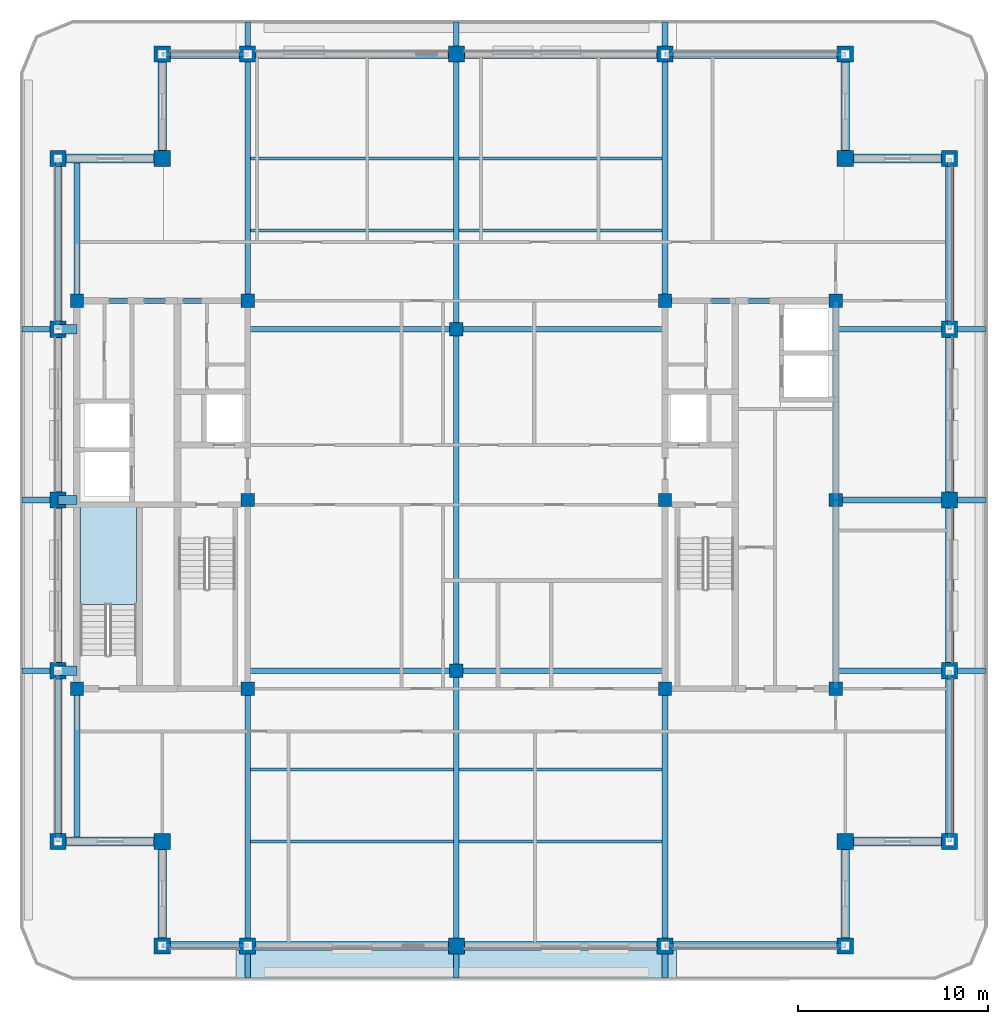
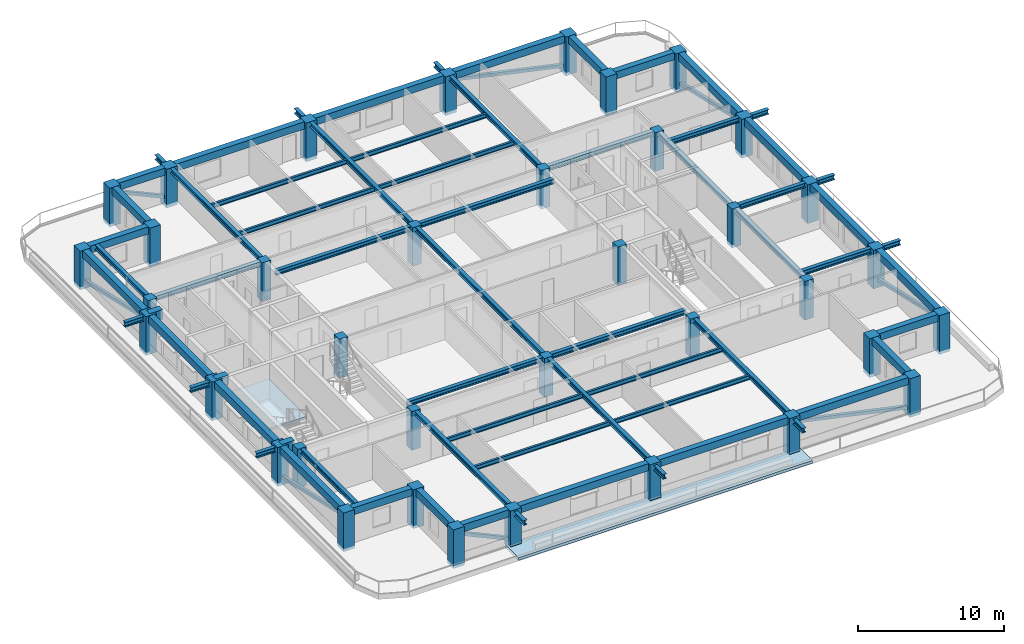
# One storey, part 1 of 11: 67 beams, 37 columns, 8 members, 2 slabs, 1 element without a shape of its own.
"""IFC4 building model written with IfcOpenShell, lengths in metres."""

from ifc_helpers import new_model, si_unit, direction, frame, origin, origin_2d, place, context, subcontext, project, spatial, polyline, rectangle, hollow_rectangle, i_section, outline, extrude, material, layer, layer_set, material_profile, profile_set, type_object, element, aggregate, save


model = new_model("IFC4")

# Units and contexts
model_context = context("Model", 3, precision=1e-05, world=origin(), true_north=direction((0.0, 1.0)))
body_context = subcontext(model_context, "Body", "Model", "MODEL_VIEW")
ifc_project = project(units=[si_unit("LENGTHUNIT", "METRE"), si_unit("AREAUNIT", "SQUARE_METRE"), si_unit("VOLUMEUNIT", "CUBIC_METRE"), si_unit("PLANEANGLEUNIT", "RADIAN"), si_unit("MASSUNIT", "GRAM", prefix="KILO")], contexts=[model_context])

# Site, building, storey
site_placement = place(None, origin())
site = spatial("IfcSite", under=ifc_project, at=site_placement, CompositionType="ELEMENT")
building_placement = place(site_placement, origin())
building = spatial("IfcBuilding", under=site, at=building_placement, Name="Zulmaris Gate Convention Tower", CompositionType="ELEMENT")
storey_placement = place(building_placement, frame((0.0, 0.0, 233.280029296875)))
storey = spatial("IfcBuildingStorey", under=building, at=storey_placement, Name="L61", CompositionType="ELEMENT", Elevation=233.280029296875)

# Columns
ifc_material_1 = material(Name="Concrete C50/60", Category="concrete")
ifc_material_profile_1 = material_profile(ifc_material_1, rectangle(XDim=0.699951171875, YDim=0.699951171875, at=origin_2d()), Name="RC COL 700x700")
ifc_profile_set_1 = profile_set([ifc_material_profile_1], Name="Concrete C50/60")
column_type_1 = type_object("IfcColumnType", Name="COL-RC700", PredefinedType="COLUMN", material=ifc_profile_set_1)
for number, where, z_axis, x_axis, name in (
    (1, (-20.0, -9.949951171875, -0.25), (0.0, 0.0, 1.0), (1.0, 0.0, 0.0), "L61 Column IN--20.00_-9.95"),
    (2, (-20.0, 10.5, -0.25), (0.0, 0.0, 1.0), (1.0, 0.0, 0.0), "L61 Column IN--20.00_+10.50"),
    (3, (-11.0, -9.949951171875, -0.25), (0.0, 0.0, 1.0), (1.0, 0.0, 0.0), "L61 Column IN--11.00_-9.95"),
    (4, (-11.0, 0.0, -0.25), (0.0, 0.0, 1.0), (1.0, 0.0, 0.0), "L61 Column IN--11.00_+0.00"),
    (5, (-11.0, 10.5, -0.25), (0.0, 0.0, 1.0), (1.0, 0.0, 0.0), "L61 Column IN--11.00_+10.50"),
    (6, (11.0, -9.949951171875, -0.25), (0.0, 0.0, 1.0), (1.0, 0.0, 0.0), "L61 Column IN-+11.00_-9.95"),
    (7, (11.0, 0.0, -0.25), (0.0, 0.0, 1.0), (1.0, 0.0, 0.0), "L61 Column IN-+11.00_+0.00"),
    (8, (11.0, 10.5, -0.25), (0.0, 0.0, 1.0), (1.0, 0.0, 0.0), "L61 Column IN-+11.00_+10.50"),
    (9, (20.0, -9.949951171875, -0.25), (0.0, 0.0, 1.0), (1.0, 0.0, 0.0), "L61 Column IN-+20.00_-9.95"),
    (10, (20.0, 10.5, -0.25), (0.0, 0.0, 1.0), (1.0, 0.0, 0.0), "L61 Column IN-+20.00_+10.50"),
    (11, (0.0, -9.0, -0.25), (0.0, 0.0, 1.0), (1.0, 0.0, 0.0), "L61 Column IN-+0.00_-9.00"),
    (12, (0.0, 9.0, -0.25), (0.0, 0.0, 1.0), (1.0, 0.0, 0.0), "L61 Column IN-+0.00_+9.00"),
    (13, (20.0, 0.0, -0.25), (0.0, 0.0, 1.0), (1.0, 0.0, 0.0), "L61 Column IN-+20.00_+0.00"),
):
    element("IfcColumn", number, at=place(storey_placement, frame(where, z_axis=z_axis, x_axis=x_axis)), inside=storey, type_object=column_type_1, Name=name, PredefinedType="COLUMN", context=body_context, shape_type="SweptSolid", body=[
        extrude(rectangle(XDim=0.699951171875, YDim=0.699951171875, at=origin_2d()), origin(), (0.0, 0.0, 1.0), 3.22998046875),
    ])
ifc_material_2 = material(Name="Concrete C60/75", Category="concrete")
ifc_material_profile_2 = material_profile(ifc_material_2, rectangle(XDim=0.85009765625, YDim=0.85009765625, at=origin_2d()), Name="RC COL 850x850")
ifc_profile_set_2 = profile_set([ifc_material_profile_2], Name="Concrete C60/75")
column_type_2 = type_object("IfcColumnType", Name="COL-RC850", PredefinedType="COLUMN", material=ifc_profile_set_2)
for number, where, z_axis, x_axis, name in (
    (14, (-15.5, -23.5, -0.25), (0.0, 0.0, 1.0), (1.0, 0.0, 0.0), "L61 Column PT--15.50_-23.50"),
    (15, (-11.0, -23.5, -0.25), (0.0, 0.0, 1.0), (1.0, 0.0, 0.0), "L61 Column PT--11.00_-23.50"),
    (16, (0.0, -23.5, -0.25), (0.0, 0.0, 1.0), (1.0, 0.0, 0.0), "L61 Column PT-+0.00_-23.50"),
    (17, (11.0, -23.5, -0.25), (0.0, 0.0, 1.0), (1.0, 0.0, 0.0), "L61 Column PT-+11.00_-23.50"),
    (18, (20.5, -23.5, -0.25), (0.0, 0.0, 1.0), (1.0, 0.0, 0.0), "L61 Column PT-+20.50_-23.50"),
    (19, (-15.5, 23.5, -0.25), (0.0, 0.0, 1.0), (1.0, 0.0, 0.0), "L61 Column PT--15.50_+23.50"),
    (20, (-11.0, 23.5, -0.25), (0.0, 0.0, 1.0), (1.0, 0.0, 0.0), "L61 Column PT--11.00_+23.50"),
    (21, (0.0, 23.5, -0.25), (0.0, 0.0, 1.0), (1.0, 0.0, 0.0), "L61 Column PT-+0.00_+23.50"),
    (22, (11.0, 23.5, -0.25), (0.0, 0.0, 1.0), (1.0, 0.0, 0.0), "L61 Column PT-+11.00_+23.50"),
    (23, (20.5, 23.5, -0.25), (0.0, 0.0, 1.0), (1.0, 0.0, 0.0), "L61 Column PT-+20.50_+23.50"),
    (24, (-21.0, -18.0, -0.25), (0.0, 0.0, 1.0), (1.0, 0.0, 0.0), "L61 Column PT--21.00_-18.00"),
    (25, (-21.0, -9.0, -0.25), (0.0, 0.0, 1.0), (1.0, 0.0, 0.0), "L61 Column PT--21.00_-9.00"),
    (26, (-21.0, 0.0, -0.25), (0.0, 0.0, 1.0), (1.0, 0.0, 0.0), "L61 Column PT--21.00_+0.00"),
    (27, (-21.0, 9.0, -0.25), (0.0, 0.0, 1.0), (1.0, 0.0, 0.0), "L61 Column PT--21.00_+9.00"),
    (28, (-21.0, 18.0, -0.25), (0.0, 0.0, 1.0), (1.0, 0.0, 0.0), "L61 Column PT--21.00_+18.00"),
    (29, (26.0, -18.0, -0.25), (0.0, 0.0, 1.0), (1.0, 0.0, 0.0), "L61 Column PT-+26.00_-18.00"),
    (30, (26.0, -9.0, -0.25), (0.0, 0.0, 1.0), (1.0, 0.0, 0.0), "L61 Column PT-+26.00_-9.00"),
    (31, (26.0, 0.0, -0.25), (0.0, 0.0, 1.0), (1.0, 0.0, 0.0), "L61 Column PT-+26.00_+0.00"),
    (32, (26.0, 9.0, -0.25), (0.0, 0.0, 1.0), (1.0, 0.0, 0.0), "L61 Column PT-+26.00_+9.00"),
    (33, (26.0, 18.0, -0.25), (0.0, 0.0, 1.0), (1.0, 0.0, 0.0), "L61 Column PT-+26.00_+18.00"),
    (34, (-15.5, -18.0, -0.25), (0.0, 0.0, 1.0), (1.0, 0.0, 0.0), "L61 Column PT--15.50_-18.00"),
    (35, (20.5, -18.0, -0.25), (0.0, 0.0, 1.0), (1.0, 0.0, 0.0), "L61 Column PT-+20.50_-18.00"),
    (36, (20.5, 18.0, -0.25), (0.0, 0.0, 1.0), (1.0, 0.0, 0.0), "L61 Column PT-+20.50_+18.00"),
    (37, (-15.5, 18.0, -0.25), (0.0, 0.0, 1.0), (1.0, 0.0, 0.0), "L61 Column PT--15.50_+18.00"),
):
    element("IfcColumn", number, at=place(storey_placement, frame(where, z_axis=z_axis, x_axis=x_axis)), inside=storey, type_object=column_type_2, Name=name, PredefinedType="COLUMN", context=body_context, shape_type="SweptSolid", body=[
        extrude(rectangle(XDim=0.85009765625, YDim=0.85009765625, at=origin_2d()), origin(), (0.0, 0.0, 1.0), 3.22998046875),
    ])

# Beams
ifc_material_3 = material(Name="Steel S355", Category="steel")
ifc_material_profile_3 = material_profile(ifc_material_3, i_section(OverallWidth=0.300048828125, OverallDepth=0.39990234375, WebThickness=0.013427734375, FlangeThickness=0.02392578125, FilletRadius=0.027099609375, at=origin_2d()), Name="HEB 400")
ifc_profile_set_3 = profile_set([ifc_material_profile_3], Name="Steel S355")
beam_type_1 = type_object("IfcBeamType", Name="BM-HEB400", PredefinedType="BEAM", material=ifc_profile_set_3)
for number, where, z_axis, x_axis, name in (
    (38, (-11.0, -25.199951171875, 2.639892578125), (0.0, 1.0, 0.0), (-1.0, 0.0, 0.0), "L61 Beam TBRK-L61-S--11"),
    (39, (-11.0, 23.5, 2.639892578125), (0.0, 1.0, 0.0), (-1.0, 0.0, 0.0), "L61 Beam TBRK-L61-N--11"),
    (40, (0.0, -25.199951171875, 2.639892578125), (0.0, 1.0, 0.0), (-1.0, 0.0, 0.0), "L61 Beam TBRK-L61-S-+0"),
    (41, (0.0, 23.5, 2.639892578125), (0.0, 1.0, 0.0), (-1.0, 0.0, 0.0), "L61 Beam TBRK-L61-N-+0"),
    (42, (11.0, -25.199951171875, 2.639892578125), (0.0, 1.0, 0.0), (-1.0, 0.0, 0.0), "L61 Beam TBRK-L61-S-+11"),
    (43, (11.0, 23.5, 2.639892578125), (0.0, 1.0, 0.0), (-1.0, 0.0, 0.0), "L61 Beam TBRK-L61-N-+11"),
):
    element("IfcBeam", number, at=place(storey_placement, frame(where, z_axis=z_axis, x_axis=x_axis)), inside=storey, type_object=beam_type_1, Name=name, PredefinedType="BEAM", context=body_context, shape_type="SweptSolid", body=[
        extrude(i_section(OverallWidth=0.300048828125, OverallDepth=0.39990234375, WebThickness=0.013427734375, FlangeThickness=0.02392578125, FilletRadius=0.027099609375, at=origin_2d()), origin(), (0.0, 0.0, 1.0), 1.699951171875),
    ])
for number, where, z_axis, x_axis, name in (
    (44, (-22.89990234375, -9.0, 2.639892578125), (1.0, 0.0, 0.0), (0.0, 1.0, 0.0), "L61 Beam TBRK-L61-W--9"),
    (45, (26.0, -9.0, 2.639892578125), (1.0, 0.0, 0.0), (0.0, 1.0, 0.0), "L61 Beam TBRK-L61-E--9"),
    (46, (-22.89990234375, 0.0, 2.639892578125), (1.0, 0.0, 0.0), (0.0, 1.0, 0.0), "L61 Beam TBRK-L61-W-+0"),
    (47, (26.0, 0.0, 2.639892578125), (1.0, 0.0, 0.0), (0.0, 1.0, 0.0), "L61 Beam TBRK-L61-E-+0"),
    (48, (-22.89990234375, 9.0, 2.639892578125), (1.0, 0.0, 0.0), (0.0, 1.0, 0.0), "L61 Beam TBRK-L61-W-+9"),
    (49, (26.0, 9.0, 2.639892578125), (1.0, 0.0, 0.0), (0.0, 1.0, 0.0), "L61 Beam TBRK-L61-E-+9"),
):
    element("IfcBeam", number, at=place(storey_placement, frame(where, z_axis=z_axis, x_axis=x_axis)), inside=storey, type_object=beam_type_1, Name=name, PredefinedType="BEAM", context=body_context, shape_type="SweptSolid", body=[
        extrude(i_section(OverallWidth=0.300048828125, OverallDepth=0.39990234375, WebThickness=0.013427734375, FlangeThickness=0.02392578125, FilletRadius=0.027099609375, at=origin_2d()), origin(), (0.0, 0.0, 1.0), 1.89990234375),
    ])
for number, where, z_axis, x_axis, name in (
    (50, (-11.0, -9.0, 2.778076171875), (1.0, 0.0, 0.0), (0.0, 1.0, 0.0), "L61 Beam BM-L61-G01"),
    (51, (0.0, -9.0, 2.778076171875), (1.0, 0.0, 0.0), (0.0, 1.0, 0.0), "L61 Beam BM-L61-G02"),
    (52, (-11.0, 9.0, 2.778076171875), (1.0, 0.0, 0.0), (0.0, 1.0, 0.0), "L61 Beam BM-L61-G03"),
    (53, (0.0, 9.0, 2.778076171875), (1.0, 0.0, 0.0), (0.0, 1.0, 0.0), "L61 Beam BM-L61-G04"),
):
    element("IfcBeam", number, at=place(storey_placement, frame(where, z_axis=z_axis, x_axis=x_axis)), inside=storey, type_object=beam_type_1, Name=name, PredefinedType="BEAM", context=body_context, shape_type="SweptSolid", body=[
        extrude(i_section(OverallWidth=0.300048828125, OverallDepth=0.39990234375, WebThickness=0.013427734375, FlangeThickness=0.02392578125, FilletRadius=0.027099609375, at=origin_2d()), origin(), (0.0, 0.0, 1.0), 11.0),
    ])
beam_1_placement = place(storey_placement, frame((0.0, -23.5, 2.778076171875), z_axis=(0.0, 1.0, 0.0), x_axis=(-1.0, 0.0, 0.0)))
element("IfcBeam", 54, at=beam_1_placement, inside=storey, type_object=beam_type_1, Name="L61 Beam BM-L61-G05", PredefinedType="BEAM", context=body_context, shape_type="SweptSolid", body=[
    extrude(i_section(OverallWidth=0.300048828125, OverallDepth=0.39990234375, WebThickness=0.013427734375, FlangeThickness=0.02392578125, FilletRadius=0.027099609375, at=origin_2d()), origin(), (0.0, 0.0, 1.0), 14.5),
])
beam_2_placement = place(storey_placement, frame((0.0, -9.0, 2.778076171875), z_axis=(0.0, 1.0, 0.0), x_axis=(-1.0, 0.0, 0.0)))
element("IfcBeam", 55, at=beam_2_placement, inside=storey, type_object=beam_type_1, Name="L61 Beam BM-L61-G06", PredefinedType="BEAM", context=body_context, shape_type="SweptSolid", body=[
    extrude(i_section(OverallWidth=0.300048828125, OverallDepth=0.39990234375, WebThickness=0.013427734375, FlangeThickness=0.02392578125, FilletRadius=0.027099609375, at=origin_2d()), origin(), (0.0, 0.0, 1.0), 18.0),
])
beam_3_placement = place(storey_placement, frame((0.0, 9.0, 2.778076171875), z_axis=(0.0, 1.0, 0.0), x_axis=(-1.0, 0.0, 0.0)))
element("IfcBeam", 56, at=beam_3_placement, inside=storey, type_object=beam_type_1, Name="L61 Beam BM-L61-G07", PredefinedType="BEAM", context=body_context, shape_type="SweptSolid", body=[
    extrude(i_section(OverallWidth=0.300048828125, OverallDepth=0.39990234375, WebThickness=0.013427734375, FlangeThickness=0.02392578125, FilletRadius=0.027099609375, at=origin_2d()), origin(), (0.0, 0.0, 1.0), 14.5),
])
beam_4_placement = place(storey_placement, frame((-11.0, -23.5, 2.778076171875), z_axis=(0.0, 1.0, 0.0), x_axis=(-1.0, 0.0, 0.0)))
element("IfcBeam", 57, at=beam_4_placement, inside=storey, type_object=beam_type_1, Name="L61 Beam BM-L61-G08", PredefinedType="BEAM", context=body_context, shape_type="SweptSolid", body=[
    extrude(i_section(OverallWidth=0.300048828125, OverallDepth=0.39990234375, WebThickness=0.013427734375, FlangeThickness=0.02392578125, FilletRadius=0.027099609375, at=origin_2d()), origin(), (0.0, 0.0, 1.0), 13.550048828125),
])
beam_5_placement = place(storey_placement, frame((-11.0, 10.5, 2.778076171875), z_axis=(0.0, 1.0, 0.0), x_axis=(-1.0, 0.0, 0.0)))
element("IfcBeam", 58, at=beam_5_placement, inside=storey, type_object=beam_type_1, Name="L61 Beam BM-L61-G09", PredefinedType="BEAM", context=body_context, shape_type="SweptSolid", body=[
    extrude(i_section(OverallWidth=0.300048828125, OverallDepth=0.39990234375, WebThickness=0.013427734375, FlangeThickness=0.02392578125, FilletRadius=0.027099609375, at=origin_2d()), origin(), (0.0, 0.0, 1.0), 13.0),
])
beam_6_placement = place(storey_placement, frame((11.0, -23.5, 2.778076171875), z_axis=(0.0, 1.0, 0.0), x_axis=(-1.0, 0.0, 0.0)))
element("IfcBeam", 59, at=beam_6_placement, inside=storey, type_object=beam_type_1, Name="L61 Beam BM-L61-G10", PredefinedType="BEAM", context=body_context, shape_type="SweptSolid", body=[
    extrude(i_section(OverallWidth=0.300048828125, OverallDepth=0.39990234375, WebThickness=0.013427734375, FlangeThickness=0.02392578125, FilletRadius=0.027099609375, at=origin_2d()), origin(), (0.0, 0.0, 1.0), 13.550048828125),
])
beam_7_placement = place(storey_placement, frame((11.0, 10.5, 2.778076171875), z_axis=(0.0, 1.0, 0.0), x_axis=(-1.0, 0.0, 0.0)))
element("IfcBeam", 60, at=beam_7_placement, inside=storey, type_object=beam_type_1, Name="L61 Beam BM-L61-G11", PredefinedType="BEAM", context=body_context, shape_type="SweptSolid", body=[
    extrude(i_section(OverallWidth=0.300048828125, OverallDepth=0.39990234375, WebThickness=0.013427734375, FlangeThickness=0.02392578125, FilletRadius=0.027099609375, at=origin_2d()), origin(), (0.0, 0.0, 1.0), 13.0),
])
beam_8_placement = place(storey_placement, frame((-20.0, -18.0, 2.778076171875), z_axis=(0.0, 1.0, 0.0), x_axis=(-1.0, 0.0, 0.0)))
element("IfcBeam", 61, at=beam_8_placement, inside=storey, type_object=beam_type_1, Name="L61 Beam BM-L61-G12", PredefinedType="BEAM", context=body_context, shape_type="SweptSolid", body=[
    extrude(i_section(OverallWidth=0.300048828125, OverallDepth=0.39990234375, WebThickness=0.013427734375, FlangeThickness=0.02392578125, FilletRadius=0.027099609375, at=origin_2d()), origin(), (0.0, 0.0, 1.0), 8.050048828125),
])
beam_9_placement = place(storey_placement, frame((-20.0, 10.5, 2.778076171875), z_axis=(0.0, 1.0, 0.0), x_axis=(-1.0, 0.0, 0.0)))
element("IfcBeam", 62, at=beam_9_placement, inside=storey, type_object=beam_type_1, Name="L61 Beam BM-L61-G13", PredefinedType="BEAM", context=body_context, shape_type="SweptSolid", body=[
    extrude(i_section(OverallWidth=0.300048828125, OverallDepth=0.39990234375, WebThickness=0.013427734375, FlangeThickness=0.02392578125, FilletRadius=0.027099609375, at=origin_2d()), origin(), (0.0, 0.0, 1.0), 7.5),
])
for number, where, z_axis, x_axis, name in (
    (63, (20.0, -9.0, 2.778076171875), (1.0, 0.0, 0.0), (0.0, 1.0, 0.0), "L61 Beam BM-L61-G19"),
    (64, (20.0, 0.0, 2.778076171875), (1.0, 0.0, 0.0), (0.0, 1.0, 0.0), "L61 Beam BM-L61-G20"),
    (65, (20.0, 9.0, 2.778076171875), (1.0, 0.0, 0.0), (0.0, 1.0, 0.0), "L61 Beam BM-L61-G21"),
):
    element("IfcBeam", number, at=place(storey_placement, frame(where, z_axis=z_axis, x_axis=x_axis)), inside=storey, type_object=beam_type_1, Name=name, PredefinedType="BEAM", context=body_context, shape_type="SweptSolid", body=[
        extrude(i_section(OverallWidth=0.300048828125, OverallDepth=0.39990234375, WebThickness=0.013427734375, FlangeThickness=0.02392578125, FilletRadius=0.027099609375, at=origin_2d()), origin(), (0.0, 0.0, 1.0), 6.0),
    ])
for number, where, z_axis, x_axis, name in (
    (66, (-20.0, 10.5, 2.778076171875), (1.0, 0.0, 0.0), (0.0, 1.0, 0.0), "L61 Beam BM-L61-G23"),
    (67, (11.0, 10.5, 2.778076171875), (1.0, 0.0, 0.0), (0.0, 1.0, 0.0), "L61 Beam BM-L61-G25"),
):
    element("IfcBeam", number, at=place(storey_placement, frame(where, z_axis=z_axis, x_axis=x_axis)), inside=storey, type_object=beam_type_1, Name=name, PredefinedType="BEAM", context=body_context, shape_type="SweptSolid", body=[
        extrude(i_section(OverallWidth=0.300048828125, OverallDepth=0.39990234375, WebThickness=0.013427734375, FlangeThickness=0.02392578125, FilletRadius=0.027099609375, at=origin_2d()), origin(), (0.0, 0.0, 1.0), 9.0),
    ])
beam_10_placement = place(storey_placement, frame((20.0, -9.949951171875, 2.778076171875), z_axis=(0.0, 1.0, 0.0), x_axis=(-1.0, 0.0, 0.0)))
element("IfcBeam", 68, at=beam_10_placement, inside=storey, type_object=beam_type_1, Name="L61 Beam BM-L61-G28", PredefinedType="BEAM", context=body_context, shape_type="SweptSolid", body=[
    extrude(i_section(OverallWidth=0.300048828125, OverallDepth=0.39990234375, WebThickness=0.013427734375, FlangeThickness=0.02392578125, FilletRadius=0.027099609375, at=origin_2d()), origin(), (0.0, 0.0, 1.0), 9.949951171875),
])
beam_11_placement = place(storey_placement, frame((20.0, 0.0, 2.778076171875), z_axis=(0.0, 1.0, 0.0), x_axis=(-1.0, 0.0, 0.0)))
element("IfcBeam", 69, at=beam_11_placement, inside=storey, type_object=beam_type_1, Name="L61 Beam BM-L61-G29", PredefinedType="BEAM", context=body_context, shape_type="SweptSolid", body=[
    extrude(i_section(OverallWidth=0.300048828125, OverallDepth=0.39990234375, WebThickness=0.013427734375, FlangeThickness=0.02392578125, FilletRadius=0.027099609375, at=origin_2d()), origin(), (0.0, 0.0, 1.0), 10.5),
])
ifc_material_profile_4 = material_profile(ifc_material_1, rectangle(XDim=0.5, YDim=0.800048828125, at=origin_2d()), Name="RC BEAM 500x800")
ifc_profile_set_4 = profile_set([ifc_material_profile_4], Name="Concrete C50/60")
beam_type_2 = type_object("IfcBeamType", Name="BM-RC500x800", PredefinedType="BEAM", material=ifc_profile_set_4)
for number, where, z_axis, x_axis, name in (
    (70, (-21.0, -9.0, 2.580078125), (1.0, 0.0, 0.0), (0.0, 1.0, 0.0), "L61 Beam BM-L61-G16"),
    (71, (-21.0, 0.0, 2.580078125), (1.0, 0.0, 0.0), (0.0, 1.0, 0.0), "L61 Beam BM-L61-G17"),
    (72, (-21.0, 9.0, 2.580078125), (1.0, 0.0, 0.0), (0.0, 1.0, 0.0), "L61 Beam BM-L61-G18"),
):
    element("IfcBeam", number, at=place(storey_placement, frame(where, z_axis=z_axis, x_axis=x_axis)), inside=storey, type_object=beam_type_2, Name=name, PredefinedType="BEAM", context=body_context, shape_type="SweptSolid", body=[
        extrude(rectangle(XDim=0.5, YDim=0.800048828125, at=origin_2d()), origin(), (0.0, 0.0, 1.0), 1.0),
    ])
ifc_material_4 = material(Name="Precast concrete C50/60", Category="concrete")
ifc_material_profile_5 = material_profile(ifc_material_4, rectangle(XDim=0.449951171875, YDim=0.60009765625, at=origin_2d()), Name="RC SPANDREL 450x600")
ifc_profile_set_5 = profile_set([ifc_material_profile_5], Name="Precast concrete C50/60")
beam_type_3 = type_object("IfcBeamType", Name="BM-SP450x600", PredefinedType="SPANDREL", material=ifc_profile_set_5)
beam_12_placement = place(storey_placement, frame((-15.5, -23.5, 2.679931640625), z_axis=(1.0, 0.0, 0.0), x_axis=(0.0, 1.0, 0.0)))
element("IfcBeam", 73, at=beam_12_placement, inside=storey, type_object=beam_type_3, Name="L61 Spandrel SP-L61-01", PredefinedType="SPANDREL", context=body_context, shape_type="SweptSolid", body=[
    extrude(rectangle(XDim=0.449951171875, YDim=0.60009765625, at=origin_2d()), origin(), (0.0, 0.0, 1.0), 4.5),
])
for number, where, z_axis, x_axis, name in (
    (74, (-11.0, -23.5, 2.679931640625), (1.0, 0.0, 0.0), (0.0, 1.0, 0.0), "L61 Spandrel SP-L61-02"),
    (75, (0.0, -23.5, 2.679931640625), (1.0, 0.0, 0.0), (0.0, 1.0, 0.0), "L61 Spandrel SP-L61-03"),
):
    element("IfcBeam", number, at=place(storey_placement, frame(where, z_axis=z_axis, x_axis=x_axis)), inside=storey, type_object=beam_type_3, Name=name, PredefinedType="SPANDREL", context=body_context, shape_type="SweptSolid", body=[
        extrude(rectangle(XDim=0.449951171875, YDim=0.60009765625, at=origin_2d()), origin(), (0.0, 0.0, 1.0), 11.0),
    ])
beam_13_placement = place(storey_placement, frame((11.0, -23.5, 2.679931640625), z_axis=(1.0, 0.0, 0.0), x_axis=(0.0, 1.0, 0.0)))
element("IfcBeam", 76, at=beam_13_placement, inside=storey, type_object=beam_type_3, Name="L61 Spandrel SP-L61-04", PredefinedType="SPANDREL", context=body_context, shape_type="SweptSolid", body=[
    extrude(rectangle(XDim=0.449951171875, YDim=0.60009765625, at=origin_2d()), origin(), (0.0, 0.0, 1.0), 9.5),
])
for number, where, z_axis, x_axis, name in (
    (77, (20.5, -23.5, 2.679931640625), (0.0, 1.0, 0.0), (-1.0, 0.0, 0.0), "L61 Spandrel SP-L61-05"),
    (78, (20.5, -18.0, 2.679931640625), (1.0, 0.0, 0.0), (0.0, 1.0, 0.0), "L61 Spandrel SP-L61-06"),
):
    element("IfcBeam", number, at=place(storey_placement, frame(where, z_axis=z_axis, x_axis=x_axis)), inside=storey, type_object=beam_type_3, Name=name, PredefinedType="SPANDREL", context=body_context, shape_type="SweptSolid", body=[
        extrude(rectangle(XDim=0.449951171875, YDim=0.60009765625, at=origin_2d()), origin(), (0.0, 0.0, 1.0), 5.5),
    ])
for number, where, z_axis, x_axis, name in (
    (79, (26.0, -18.0, 2.679931640625), (0.0, 1.0, 0.0), (-1.0, 0.0, 0.0), "L61 Spandrel SP-L61-07"),
    (80, (26.0, -9.0, 2.679931640625), (0.0, 1.0, 0.0), (-1.0, 0.0, 0.0), "L61 Spandrel SP-L61-08"),
    (81, (26.0, 0.0, 2.679931640625), (0.0, 1.0, 0.0), (-1.0, 0.0, 0.0), "L61 Spandrel SP-L61-09"),
    (82, (26.0, 9.0, 2.679931640625), (0.0, 1.0, 0.0), (-1.0, 0.0, 0.0), "L61 Spandrel SP-L61-10"),
):
    element("IfcBeam", number, at=place(storey_placement, frame(where, z_axis=z_axis, x_axis=x_axis)), inside=storey, type_object=beam_type_3, Name=name, PredefinedType="SPANDREL", context=body_context, shape_type="SweptSolid", body=[
        extrude(rectangle(XDim=0.449951171875, YDim=0.60009765625, at=origin_2d()), origin(), (0.0, 0.0, 1.0), 9.0),
    ])
for number, where, z_axis, x_axis, name in (
    (83, (26.0, 18.0, 2.679931640625), (-1.0, 0.0, 0.0), (0.0, -1.0, 0.0), "L61 Spandrel SP-L61-11"),
    (84, (20.5, 18.0, 2.679931640625), (0.0, 1.0, 0.0), (-1.0, 0.0, 0.0), "L61 Spandrel SP-L61-12"),
):
    element("IfcBeam", number, at=place(storey_placement, frame(where, z_axis=z_axis, x_axis=x_axis)), inside=storey, type_object=beam_type_3, Name=name, PredefinedType="SPANDREL", context=body_context, shape_type="SweptSolid", body=[
        extrude(rectangle(XDim=0.449951171875, YDim=0.60009765625, at=origin_2d()), origin(), (0.0, 0.0, 1.0), 5.5),
    ])
beam_14_placement = place(storey_placement, frame((20.5, 23.5, 2.679931640625), z_axis=(-1.0, 0.0, 0.0), x_axis=(0.0, -1.0, 0.0)))
element("IfcBeam", 85, at=beam_14_placement, inside=storey, type_object=beam_type_3, Name="L61 Spandrel SP-L61-13", PredefinedType="SPANDREL", context=body_context, shape_type="SweptSolid", body=[
    extrude(rectangle(XDim=0.449951171875, YDim=0.60009765625, at=origin_2d()), origin(), (0.0, 0.0, 1.0), 9.5),
])
for number, where, z_axis, x_axis, name in (
    (86, (11.0, 23.5, 2.679931640625), (-1.0, 0.0, 0.0), (0.0, -1.0, 0.0), "L61 Spandrel SP-L61-14"),
    (87, (0.0, 23.5, 2.679931640625), (-1.0, 0.0, 0.0), (0.0, -1.0, 0.0), "L61 Spandrel SP-L61-15"),
):
    element("IfcBeam", number, at=place(storey_placement, frame(where, z_axis=z_axis, x_axis=x_axis)), inside=storey, type_object=beam_type_3, Name=name, PredefinedType="SPANDREL", context=body_context, shape_type="SweptSolid", body=[
        extrude(rectangle(XDim=0.449951171875, YDim=0.60009765625, at=origin_2d()), origin(), (0.0, 0.0, 1.0), 11.0),
    ])
beam_15_placement = place(storey_placement, frame((-11.0, 23.5, 2.679931640625), z_axis=(-1.0, 0.0, 0.0), x_axis=(0.0, -1.0, 0.0)))
element("IfcBeam", 88, at=beam_15_placement, inside=storey, type_object=beam_type_3, Name="L61 Spandrel SP-L61-16", PredefinedType="SPANDREL", context=body_context, shape_type="SweptSolid", body=[
    extrude(rectangle(XDim=0.449951171875, YDim=0.60009765625, at=origin_2d()), origin(), (0.0, 0.0, 1.0), 4.5),
])
for number, where, z_axis, x_axis, name in (
    (89, (-15.5, 23.5, 2.679931640625), (0.0, -1.0, 0.0), (1.0, 0.0, 0.0), "L61 Spandrel SP-L61-17"),
    (90, (-15.5, 18.0, 2.679931640625), (-1.0, 0.0, 0.0), (0.0, -1.0, 0.0), "L61 Spandrel SP-L61-18"),
):
    element("IfcBeam", number, at=place(storey_placement, frame(where, z_axis=z_axis, x_axis=x_axis)), inside=storey, type_object=beam_type_3, Name=name, PredefinedType="SPANDREL", context=body_context, shape_type="SweptSolid", body=[
        extrude(rectangle(XDim=0.449951171875, YDim=0.60009765625, at=origin_2d()), origin(), (0.0, 0.0, 1.0), 5.5),
    ])
for number, where, z_axis, x_axis, name in (
    (91, (-21.0, 18.0, 2.679931640625), (0.0, -1.0, 0.0), (1.0, 0.0, 0.0), "L61 Spandrel SP-L61-19"),
    (92, (-21.0, 9.0, 2.679931640625), (0.0, -1.0, 0.0), (1.0, 0.0, 0.0), "L61 Spandrel SP-L61-20"),
    (93, (-21.0, 0.0, 2.679931640625), (0.0, -1.0, 0.0), (1.0, 0.0, 0.0), "L61 Spandrel SP-L61-21"),
    (94, (-21.0, -9.0, 2.679931640625), (0.0, -1.0, 0.0), (1.0, 0.0, 0.0), "L61 Spandrel SP-L61-22"),
):
    element("IfcBeam", number, at=place(storey_placement, frame(where, z_axis=z_axis, x_axis=x_axis)), inside=storey, type_object=beam_type_3, Name=name, PredefinedType="SPANDREL", context=body_context, shape_type="SweptSolid", body=[
        extrude(rectangle(XDim=0.449951171875, YDim=0.60009765625, at=origin_2d()), origin(), (0.0, 0.0, 1.0), 9.0),
    ])
for number, where, z_axis, x_axis, name in (
    (95, (-21.0, -18.0, 2.679931640625), (1.0, 0.0, 0.0), (0.0, 1.0, 0.0), "L61 Spandrel SP-L61-23"),
    (96, (-15.5, -18.0, 2.679931640625), (0.0, -1.0, 0.0), (1.0, 0.0, 0.0), "L61 Spandrel SP-L61-24"),
):
    element("IfcBeam", number, at=place(storey_placement, frame(where, z_axis=z_axis, x_axis=x_axis)), inside=storey, type_object=beam_type_3, Name=name, PredefinedType="SPANDREL", context=body_context, shape_type="SweptSolid", body=[
        extrude(rectangle(XDim=0.449951171875, YDim=0.60009765625, at=origin_2d()), origin(), (0.0, 0.0, 1.0), 5.5),
    ])

# Members
ifc_material_profile_6 = material_profile(ifc_material_3, hollow_rectangle(XDim=0.25, YDim=0.25, WallThickness=0.012451171875, at=origin_2d()), Name="SHS 250x250x12.5")
ifc_profile_set_6 = profile_set([ifc_material_profile_6], Name="Steel S355")
member_type = type_object("IfcMemberType", Name="BR-SHS250", PredefinedType="BRACE", material=ifc_profile_set_6)
for number, where, z_axis, x_axis, name in (
    (97, (-21.0, -9.0, 0.300048828125), (0.0, -0.974795611755, 0.223099787771), (1.0, 0.0, 0.0), "L61 Perimeter Tube Diagonal SW-W"),
    (98, (-21.0, 18.0, 0.300048828125), (0.0, -0.974795611755, 0.223099787771), (1.0, 0.0, 0.0), "L61 Perimeter Tube Diagonal NW-W"),
    (99, (26.0, -9.0, 0.300048828125), (0.0, -0.974795611755, 0.223099787771), (1.0, 0.0, 0.0), "L61 Perimeter Tube Diagonal SE-E"),
    (100, (26.0, 18.0, 0.300048828125), (0.0, -0.974795611755, 0.223099787771), (1.0, 0.0, 0.0), "L61 Perimeter Tube Diagonal NE-E"),
):
    element("IfcMember", number, at=place(storey_placement, frame(where, z_axis=z_axis, x_axis=x_axis)), inside=storey, type_object=member_type, Name=name, PredefinedType="BRACE", context=body_context, shape_type="SweptSolid", body=[
        extrude(hollow_rectangle(XDim=0.25, YDim=0.25, WallThickness=0.012451171875, at=origin_2d()), origin(), (0.0, 0.0, 1.0), 9.232666015625),
    ])
member_1_placement = place(storey_placement, frame((-11.0, -23.5, 0.300048828125), z_axis=(-0.909270246609, 0.0, 0.41620622128), x_axis=(0.0, -1.0, 0.0)))
element("IfcMember", 101, at=member_1_placement, inside=storey, type_object=member_type, Name="L61 Perimeter Tube Diagonal SW-S", PredefinedType="BRACE", context=body_context, shape_type="SweptSolid", body=[
    extrude(hollow_rectangle(XDim=0.25, YDim=0.25, WallThickness=0.012451171875, at=origin_2d()), origin(), (0.0, 0.0, 1.0), 4.948974609375),
])
member_2_placement = place(storey_placement, frame((20.5, -23.5, 0.300048828125), z_axis=(-0.977291596632, 0.0, 0.211898879543), x_axis=(0.0, -1.0, 0.0)))
element("IfcMember", 102, at=member_2_placement, inside=storey, type_object=member_type, Name="L61 Perimeter Tube Diagonal SE-S", PredefinedType="BRACE", context=body_context, shape_type="SweptSolid", body=[
    extrude(hollow_rectangle(XDim=0.25, YDim=0.25, WallThickness=0.012451171875, at=origin_2d()), origin(), (0.0, 0.0, 1.0), 9.720703125),
])
member_3_placement = place(storey_placement, frame((-11.0, 23.5, 0.300048828125), z_axis=(-0.909270246609, 0.0, 0.41620622128), x_axis=(0.0, -1.0, 0.0)))
element("IfcMember", 103, at=member_3_placement, inside=storey, type_object=member_type, Name="L61 Perimeter Tube Diagonal NW-N", PredefinedType="BRACE", context=body_context, shape_type="SweptSolid", body=[
    extrude(hollow_rectangle(XDim=0.25, YDim=0.25, WallThickness=0.012451171875, at=origin_2d()), origin(), (0.0, 0.0, 1.0), 4.948974609375),
])
member_4_placement = place(storey_placement, frame((20.5, 23.5, 0.300048828125), z_axis=(-0.977291596632, 0.0, 0.211898879543), x_axis=(0.0, -1.0, 0.0)))
element("IfcMember", 104, at=member_4_placement, inside=storey, type_object=member_type, Name="L61 Perimeter Tube Diagonal NE-N", PredefinedType="BRACE", context=body_context, shape_type="SweptSolid", body=[
    extrude(hollow_rectangle(XDim=0.25, YDim=0.25, WallThickness=0.012451171875, at=origin_2d()), origin(), (0.0, 0.0, 1.0), 9.720703125),
])

# Beams
ifc_material_profile_7 = material_profile(ifc_material_3, i_section(OverallWidth=0.169921875, OverallDepth=0.360107421875, WebThickness=0.008056640625, FlangeThickness=0.0126953125, FilletRadius=0.01806640625, at=origin_2d()), Name="IPE 360")
ifc_profile_set_7 = profile_set([ifc_material_profile_7], Name="Steel S355")
beam_type_4 = type_object("IfcBeamType", Name="JT-IPE360", PredefinedType="JOIST", material=ifc_profile_set_7)
for number, where, z_axis, x_axis, name in (
    (105, (-10.85009765625, -18.0, 2.7978515625), (1.0, 0.0, 0.0), (0.0, 1.0, 0.0), "L61 Joist JT-L61-CW--18.0"),
    (106, (0.14990234375, -18.0, 2.7978515625), (1.0, 0.0, 0.0), (0.0, 1.0, 0.0), "L61 Joist JT-L61-CE--18.0"),
    (107, (-10.85009765625, -14.199951171875, 2.7978515625), (1.0, 0.0, 0.0), (0.0, 1.0, 0.0), "L61 Joist JT-L61-CW--14.2"),
    (108, (0.14990234375, -14.199951171875, 2.7978515625), (1.0, 0.0, 0.0), (0.0, 1.0, 0.0), "L61 Joist JT-L61-CE--14.2"),
    (109, (-10.85009765625, 14.199951171875, 2.7978515625), (1.0, 0.0, 0.0), (0.0, 1.0, 0.0), "L61 Joist JT-L61-CW-+14.2"),
    (110, (0.14990234375, 14.199951171875, 2.7978515625), (1.0, 0.0, 0.0), (0.0, 1.0, 0.0), "L61 Joist JT-L61-CE-+14.2"),
    (111, (-10.85009765625, 18.0, 2.7978515625), (1.0, 0.0, 0.0), (0.0, 1.0, 0.0), "L61 Joist JT-L61-CW-+18.0"),
    (112, (0.14990234375, 18.0, 2.7978515625), (1.0, 0.0, 0.0), (0.0, 1.0, 0.0), "L61 Joist JT-L61-CE-+18.0"),
):
    element("IfcBeam", number, at=place(storey_placement, frame(where, z_axis=z_axis, x_axis=x_axis)), inside=storey, type_object=beam_type_4, Name=name, PredefinedType="JOIST", context=body_context, shape_type="SweptSolid", body=[
        extrude(i_section(OverallWidth=0.169921875, OverallDepth=0.360107421875, WebThickness=0.008056640625, FlangeThickness=0.0126953125, FilletRadius=0.01806640625, at=origin_2d()), origin(), (0.0, 0.0, 1.0), 10.7001953125),
    ])

# Slab
ifc_layer_1 = layer(ifc_material_4, 0.239990234375, Name="Precast concrete C50/60")
ifc_layer_set_1 = layer_set([ifc_layer_1], Name="Precast concrete C50/60")
slab_type_1 = type_object("IfcSlabType", Name="SL-BAL-240", PredefinedType="FLOOR", material=ifc_layer_set_1)
slab_1_placement = place(storey_placement, frame((0.0, 0.0, -0.25)))
element("IfcSlab", 113, at=slab_1_placement, inside=storey, type_object=slab_type_1, Name="L61 South Tree-Balcony Planter Slab", PredefinedType="FLOOR", context=body_context, shape_type="SweptSolid", body=[
    extrude(outline(polyline([(-11.597900390625, -25.300048828125), (-11.597900390625, -23.5), (11.597900390625, -23.5), (11.597900390625, -25.300048828125), (-11.597900390625, -25.300048828125)])), origin(), (0.0, 0.0, 1.0), 0.239990234375),
])

# Stair, slab
ifc_material_5 = material(Name="Concrete C45/55", Category="concrete")
stair_type = type_object("IfcStairType", Name="ST-CORE-DOGLEG", PredefinedType="HALF_TURN_STAIR", material=ifc_material_5)
stair_placement = place(storey_placement, origin())
stair = element("IfcStair", 114, at=stair_placement, inside=storey, type_object=stair_type, Name="L61 Core Exit Stair ST-3", PredefinedType="HALF_TURN_STAIR")
ifc_layer_2 = layer(ifc_material_5, 0.199951171875, Name="Concrete C45/55")
ifc_layer_set_2 = layer_set([ifc_layer_2], Name="Concrete C45/55")
slab_type_2 = type_object("IfcSlabType", Name="SL-LND-200", PredefinedType="LANDING", material=ifc_layer_set_2)
slab_2_placement = place(storey_placement, frame((0.0, 0.0, 1.4150390625)))
slab_2 = element("IfcSlab", 115, at=slab_2_placement, type_object=slab_type_2, Name="ST-3 landing 1", PredefinedType="LANDING", context=body_context, shape_type="SweptSolid", body=[
    extrude(outline(polyline([(-16.860107421875, -5.5), (-16.860107421875, -0.35009765625), (-19.820068359375, -0.35009765625), (-19.820068359375, -5.5), (-16.860107421875, -5.5)])), origin(), (0.0, 0.0, 1.0), 0.199951171875),
])
aggregate(stair, [slab_2])

save(model, "model.ifc")
